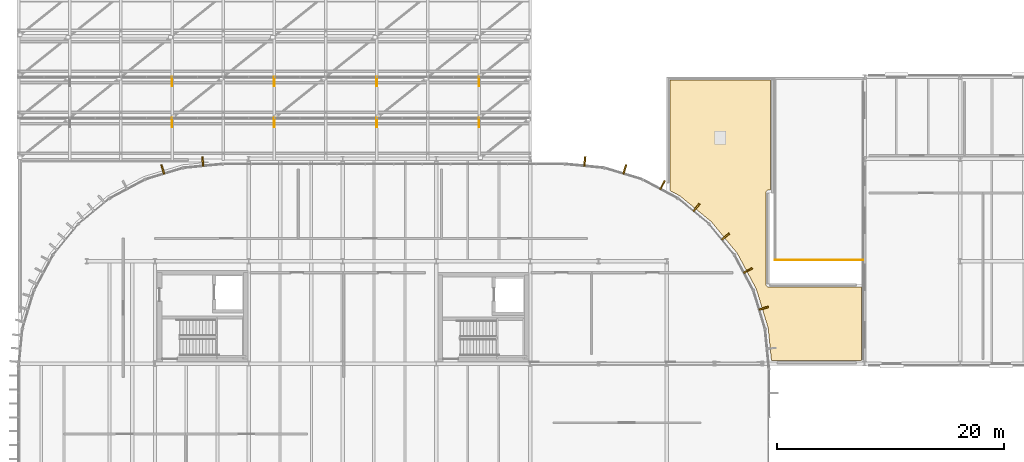
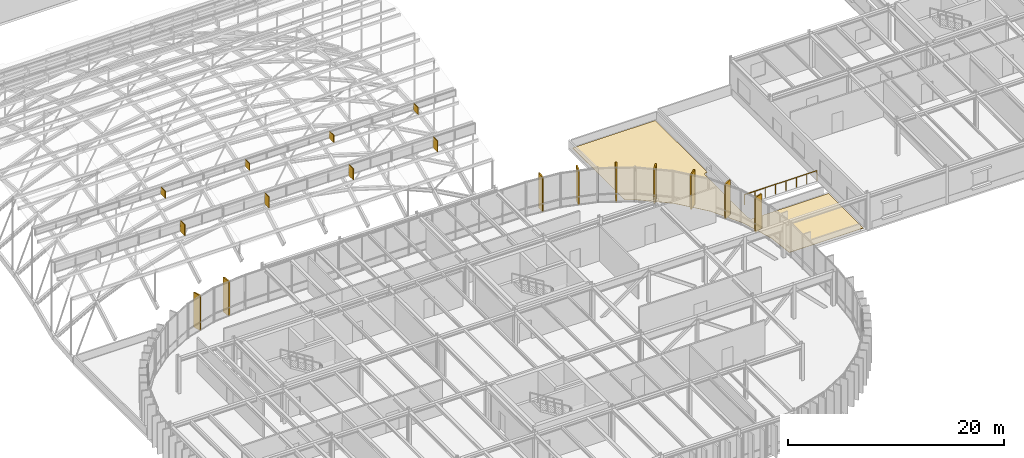
# One storey, part 64 of 69: 10 coverings, 8 shading devices, 1 railing.
"""IFC4 building model written with IfcOpenShell, lengths in metres."""

from ifc_helpers import new_model, si_unit, direction, frame, origin, origin_2d, place, context, subcontext, project, spatial, polyline, rectangle, circle, outline, extrude, material, layer, layer_set, type_object, element, save


model = new_model("IFC4")

# Units and contexts
model_context = context("Model", 3, precision=1e-05, world=origin(), true_north=direction((0.0, 1.0)))
body_context = subcontext(model_context, "Body", "Model", "MODEL_VIEW")
ifc_project = project(units=[si_unit("LENGTHUNIT", "METRE"), si_unit("AREAUNIT", "SQUARE_METRE"), si_unit("VOLUMEUNIT", "CUBIC_METRE"), si_unit("PLANEANGLEUNIT", "RADIAN"), si_unit("MASSUNIT", "GRAM", prefix="KILO")], contexts=[model_context])

# Site, building, storey
site_placement = place(None, origin())
site = spatial("IfcSite", under=ifc_project, at=site_placement, CompositionType="ELEMENT")
building_placement = place(site_placement, origin())
building = spatial("IfcBuilding", under=site, at=building_placement, Name="Montealbar Specialist Clinic", CompositionType="ELEMENT")
storey_placement = place(building_placement, frame((0.0, 0.0, 9.60009765625)))
storey = spatial("IfcBuildingStorey", under=building, at=storey_placement, Name="L02", CompositionType="ELEMENT", Elevation=9.60009765625)

# Coverings
ifc_material_1 = material(Name="Thermally modified timber cladding", Category="wood")
ifc_layer_1 = layer(ifc_material_1, 0.139892578125, Name="Thermally modified timber cladding", Category="wood")
ifc_layer_set_1 = layer_set([ifc_layer_1], Name="Thermally modified timber cladding")
covering_type_1 = type_object("IfcCoveringType", Name="COV-FIN-TIMBER-850", PredefinedType="CLADDING", material=ifc_layer_set_1)
for number, where, z_axis, x_axis, name in (
    (1, (66.68408203125, 44.074951171875, 0.0), (0.0, 0.0, 1.0), (-0.290259134399, 0.956948083701, 0.0), "Vertical Timber Solar Fin CF-L02-0078"),
    (2, (70.205078125, 44.77490234375, 0.0), (0.0, 0.0, 1.0), (-0.098044697094, 0.995182012183, 0.0), "Vertical Timber Solar Fin CF-L02-0079"),
    (3, (103.794921875, 44.77490234375, 0.0), (0.0, 0.0, 1.0), (0.098044697094, 0.995182012183, 0.0), "Vertical Timber Solar Fin CF-L02-0080"),
    (4, (107.31591796875, 44.074951171875, 0.0), (0.0, 0.0, 1.0), (0.290259134399, 0.956948083701, 0.0), "Vertical Timber Solar Fin CF-L02-0081"),
    (5, (110.633056640625, 42.700927734375, 0.0), (0.0, 0.0, 1.0), (0.471529268958, 0.881850411644, 0.0), "Vertical Timber Solar Fin CF-L02-0082"),
    (6, (113.617919921875, 40.7060546875, 0.0), (0.0, 0.0, 1.0), (0.634255808922, 0.773123255923, 0.0), "Vertical Timber Solar Fin CF-L02-0083"),
    (7, (116.156005859375, 38.16796875, 0.0), (0.0, 0.0, 1.0), (0.773123255923, 0.634255808922, 0.0), "Vertical Timber Solar Fin CF-L02-0084"),
    (8, (118.15087890625, 35.18310546875, 0.0), (0.0, 0.0, 1.0), (0.881850411644, 0.471529268958, 0.0), "Vertical Timber Solar Fin CF-L02-0085"),
    (9, (119.52490234375, 31.865966796875, 0.0), (0.0, 0.0, 1.0), (0.956948083701, 0.290259134399, 0.0), "Vertical Timber Solar Fin CF-L02-0086"),
):
    element("IfcCovering", number, at=place(storey_placement, frame(where, z_axis=z_axis, x_axis=x_axis)), inside=storey, type_object=covering_type_1, Name=name, PredefinedType="CLADDING", context=body_context, shape_type="SweptSolid", body=[
        extrude(rectangle(XDim=0.85009765625, YDim=0.139892578125, at=origin_2d()), origin(), (0.0, 0.0, 1.0), 3.929931640625),
    ])
ifc_material_2 = material(Name="Weatherproof roofing membrane", Category="concrete")
ifc_layer_2 = layer(ifc_material_2, 0.030029296875, Name="Weatherproof roofing membrane", Category="concrete")
ifc_layer_set_2 = layer_set([ifc_layer_2], Name="Weatherproof roofing membrane")
covering_type_2 = type_object("IfcCoveringType", Name="COV-ROOF-MEMB", PredefinedType="ROOFING", material=ifc_layer_set_2)
covering_placement = place(storey_placement, origin())
element("IfcCovering", 10, at=covering_placement, inside=storey, type_object=covering_type_2, Name="Weatherproof Roof Membrane ROOF-L02-03", PredefinedType="ROOFING", context=body_context, shape_type="SweptSolid", body=[
    extrude(outline(polyline([(120.1201171875, 42.280029296875), (120.0, 42.280029296875), (119.972900390625, 42.279052734375), (119.945068359375, 42.27490234375), (119.9189453125, 42.26806640625), (119.89306640625, 42.259033203125), (119.867919921875, 42.2470703125), (119.843994140625, 42.23291015625), (119.822021484375, 42.216064453125), (119.802001953125, 42.197998046875), (119.783935546875, 42.177978515625), (119.76708984375, 42.156005859375), (119.7529296875, 42.132080078125), (119.740966796875, 42.10693359375), (119.73193359375, 42.0810546875), (119.72509765625, 42.054931640625), (119.720947265625, 42.027099609375), (119.719970703125, 42.0), (119.719970703125, 34.0), (119.720947265625, 33.972900390625), (119.72509765625, 33.945068359375), (119.73193359375, 33.9189453125), (119.740966796875, 33.89306640625), (119.7529296875, 33.867919921875), (119.76708984375, 33.843994140625), (119.783935546875, 33.822021484375), (119.802001953125, 33.802001953125), (119.822021484375, 33.783935546875), (119.843994140625, 33.76708984375), (119.867919921875, 33.7529296875), (119.89306640625, 33.740966796875), (119.9189453125, 33.73193359375), (119.945068359375, 33.72509765625), (119.972900390625, 33.720947265625), (120.0, 33.719970703125), (128.1201171875, 33.719970703125), (128.1201171875, 27.280029296875), (120.2099609375, 27.280029296875), (119.93310546875, 30.089111328125), (119.928955078125, 30.116943359375), (119.922119140625, 30.14306640625), (118.89794921875, 33.51904296875), (118.888916015625, 33.544921875), (118.876953125, 33.570068359375), (117.212890625, 36.681884765625), (117.198974609375, 36.7060546875), (117.181884765625, 36.72802734375), (114.944091796875, 39.4560546875), (114.926025390625, 39.47607421875), (114.906005859375, 39.493896484375), (112.177978515625, 41.73193359375), (112.156005859375, 41.7490234375), (112.132080078125, 41.762939453125), (111.280029296875, 42.218994140625), (111.280029296875, 51.919921875), (120.1201171875, 51.919921875), (120.1201171875, 42.280029296875)])), origin(), (0.0, 0.0, 1.0), 0.02978515625),
])

# Railing
ifc_material_3 = material(Name="Steel S355", Category="steel")
ifc_layer_3 = layer(ifc_material_3, 0.06005859375, Name="Steel S355", Category="steel")
ifc_layer_set_3 = layer_set([ifc_layer_3], Name="Steel S355")
railing_type = type_object("IfcRailingType", Name="RAIL-EXT-BAL-1100", PredefinedType="BALUSTRADE", material=ifc_layer_set_3)
railing_placement = place(storey_placement, frame((120.52001953125, 36.1201171875, 0.0)))
element("IfcRailing", 11, at=railing_placement, inside=storey, type_object=railing_type, Name="Terrace Safety Balustrade TERR-L02-V3W-S", PredefinedType="BALUSTRADE", context=body_context, shape_type="SweptSolid", body=[
    extrude(circle(Radius=0.02392578125, at=origin_2d()), frame((0.0, 0.0, 1.09619140625), z_axis=(1.0, 0.0, 0.0), x_axis=(0.0, 1.0, 0.0)), (0.0, 0.0, 1.0), 7.760009765625),
    extrude(circle(Radius=0.02099609375, at=origin_2d()), frame((0.0, 0.0, -0.02490234375)), (0.0, 0.0, 1.0), 1.096923828125),
    extrude(circle(Radius=0.02099609375, at=origin_2d()), frame((1.108642578125, 0.0, -0.02490234375)), (0.0, 0.0, 1.0), 1.096923828125),
    extrude(circle(Radius=0.02099609375, at=origin_2d()), frame((2.217041015625, 0.0, -0.02490234375)), (0.0, 0.0, 1.0), 1.096923828125),
    extrude(circle(Radius=0.02099609375, at=origin_2d()), frame((3.32568359375, 0.0, -0.02490234375)), (0.0, 0.0, 1.0), 1.096923828125),
    extrude(circle(Radius=0.02099609375, at=origin_2d()), frame((4.434326171875, 0.0, -0.02490234375)), (0.0, 0.0, 1.0), 1.096923828125),
    extrude(circle(Radius=0.02099609375, at=origin_2d()), frame((5.54296875, 0.0, -0.02490234375)), (0.0, 0.0, 1.0), 1.096923828125),
    extrude(circle(Radius=0.02099609375, at=origin_2d()), frame((6.6513671875, 0.0, -0.02490234375)), (0.0, 0.0, 1.0), 1.096923828125),
    extrude(circle(Radius=0.02099609375, at=origin_2d()), frame((7.760009765625, 0.0, -0.02490234375)), (0.0, 0.0, 1.0), 1.096923828125),
])

# Shading devices
ifc_material_4 = material(Name="Glulam GL28h", Category="wood")
ifc_layer_4 = layer(ifc_material_4, 0.074951171875, Name="Glulam GL28h", Category="wood")
ifc_layer_set_4 = layer_set([ifc_layer_4], Name="Glulam GL28h")
shading_device_type = type_object("IfcShadingDeviceType", Name="SHD-SOLAR-FIN-850", PredefinedType="USERDEFINED", material=ifc_layer_set_4)
for number, where, z_axis, x_axis, name in (
    (12, (67.5, 48.199951171875, 7.9345703125), (0.0, 0.0, 1.0), (0.0, -1.0, 0.0), "Clerestory Glulam Solar Fin SD-002"),
    (13, (76.5, 48.199951171875, 7.9345703125), (0.0, 0.0, 1.0), (0.0, -1.0, 0.0), "Clerestory Glulam Solar Fin SD-003"),
    (14, (85.5, 48.199951171875, 7.9345703125), (0.0, 0.0, 1.0), (0.0, -1.0, 0.0), "Clerestory Glulam Solar Fin SD-004"),
    (15, (94.5, 48.199951171875, 7.9345703125), (0.0, 0.0, 1.0), (0.0, -1.0, 0.0), "Clerestory Glulam Solar Fin SD-005"),
):
    element("IfcShadingDevice", number, at=place(storey_placement, frame(where, z_axis=z_axis, x_axis=x_axis)), inside=storey, type_object=shading_device_type, Name=name, ObjectType="SOLAR FIN", PredefinedType="USERDEFINED", context=body_context, shape_type="SweptSolid", body=[
        extrude(rectangle(XDim=0.85009765625, YDim=0.074951171875, at=origin_2d()), origin(), (0.0, 0.0, 1.0), 1.257080078125),
    ])
for number, where, z_axis, x_axis, name in (
    (16, (67.5, 51.800048828125, 9.97509765625), (0.0, 0.0, 1.0), (0.0, -1.0, 0.0), "Clerestory Glulam Solar Fin SD-007"),
    (17, (76.5, 51.800048828125, 9.97509765625), (0.0, 0.0, 1.0), (0.0, -1.0, 0.0), "Clerestory Glulam Solar Fin SD-008"),
    (18, (85.5, 51.800048828125, 9.97509765625), (0.0, 0.0, 1.0), (0.0, -1.0, 0.0), "Clerestory Glulam Solar Fin SD-009"),
    (19, (94.5, 51.800048828125, 9.97509765625), (0.0, 0.0, 1.0), (0.0, -1.0, 0.0), "Clerestory Glulam Solar Fin SD-010"),
):
    element("IfcShadingDevice", number, at=place(storey_placement, frame(where, z_axis=z_axis, x_axis=x_axis)), inside=storey, type_object=shading_device_type, Name=name, ObjectType="SOLAR FIN", PredefinedType="USERDEFINED", context=body_context, shape_type="SweptSolid", body=[
        extrude(rectangle(XDim=0.85009765625, YDim=0.074951171875, at=origin_2d()), origin(), (0.0, 0.0, 1.0), 0.803955078125),
    ])

save(model, "model.ifc")
